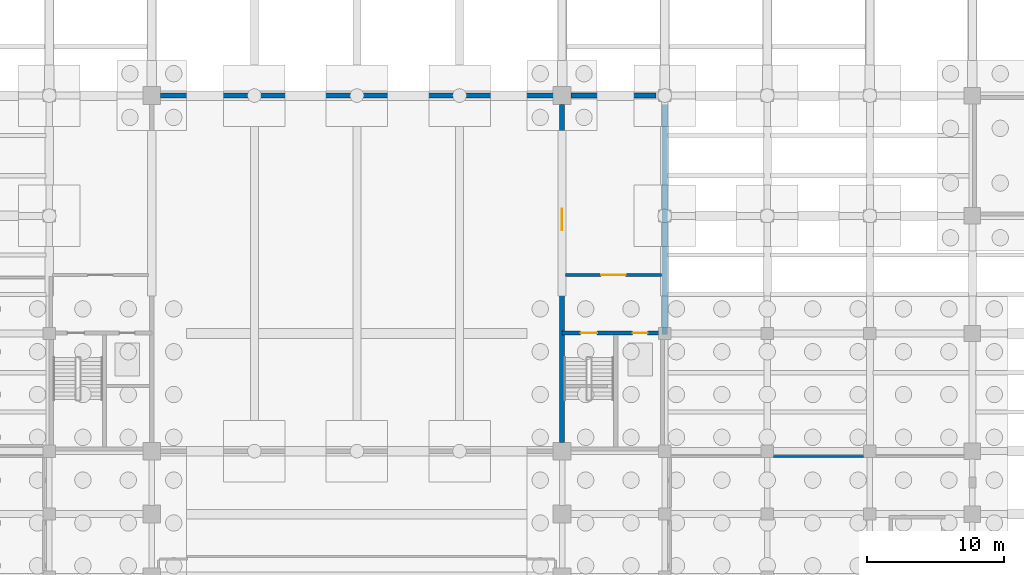
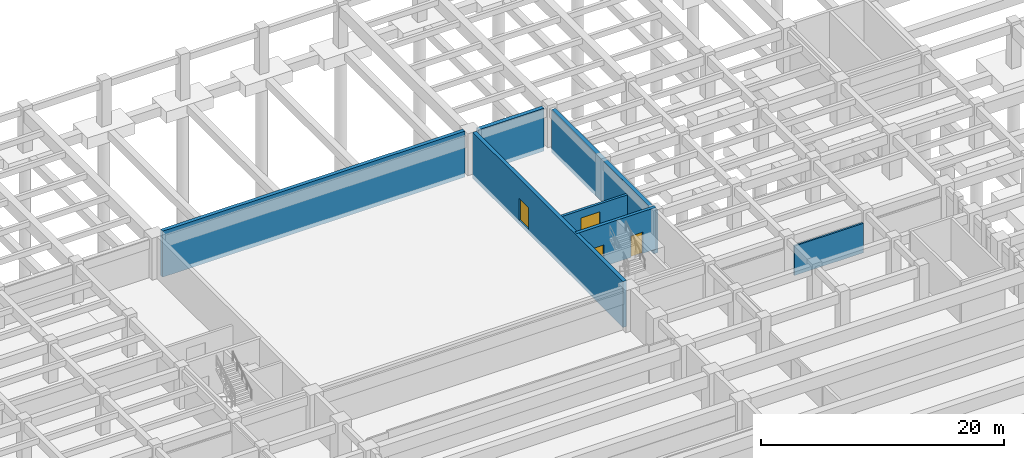
# One storey, part 25 of 32: 7 walls, 4 doors, 4 openings.
"""IFC4 building model written with IfcOpenShell, lengths in metres."""

import ifcopenshell
import ifcopenshell.guid

model = None  # the IFC model being written
_history = None  # IfcOwnerHistory: only IFC2X3 demands one
_inside = {}  # id of a spatial element -> (the spatial element, [elements in it])
_under = {}  # id of a project, library or spatial element -> (it, [spatial elements below it])
_declared = {}  # id of a project -> (the project, [libraries it declares])
_typed = {}  # id of a type object -> (the type object, [elements of that type])
_made_of = {}  # id of a material, layer set ... -> (it, [elements and type objects made of it])


def new_model(schema):
    """Start an empty IFC model of exactly this schema.

    Asked for "IFC4X3", IfcOpenShell would pick the latest addendum, in which some entities
    have other attributes; the version numbers below select the first issue.
    IFC2X3 requires an IfcOwnerHistory on every rooted entity: one is made here for all.
    """
    global model, _history
    if schema == "IFC4X3":
        model = ifcopenshell.file(schema_version=(4, 3, 0, 0))
    else:
        model = ifcopenshell.file(schema=schema)
    _inside.clear()
    _under.clear()
    _declared.clear()
    _typed.clear()
    _made_of.clear()
    _history = None
    if model.schema == "IFC2X3":
        org = make("IfcOrganization", Name="unknown")
        user = make(
            "IfcPersonAndOrganization",
            ThePerson=make("IfcPerson", FamilyName="unknown"),
            TheOrganization=org,
        )
        app = make(
            "IfcApplication",
            ApplicationDeveloper=org,
            Version="unknown",
            ApplicationFullName="unknown",
            ApplicationIdentifier="unknown",
        )
        _history = make(
            "IfcOwnerHistory",
            OwningUser=user,
            OwningApplication=app,
            ChangeAction="ADDED",
            CreationDate=0,
        )
    return model


def make(cls, **values):
    """One entity of the class cls with the attributes given. An attribute that is None is left unset."""
    return model.create_entity(
        cls, **{name: value for name, value in values.items() if value is not None}
    )


def rooted(cls, **values):
    """An entity with a GlobalId (a new one), such as an element, a storey or a relation."""
    return make(cls, GlobalId=ifcopenshell.guid.new(), OwnerHistory=_history, **values)


def si_unit(unit_type, name, prefix=None):
    """IfcSIUnit, for example si_unit("LENGTHUNIT", "METRE", prefix="MILLI")."""
    return make("IfcSIUnit", UnitType=unit_type, Prefix=prefix, Name=name)


def assignment(units):
    """IfcUnitAssignment: the units of a project."""
    return None if units is None else make("IfcUnitAssignment", Units=units)


def point(xyz):
    """IfcCartesianPoint."""
    return None if xyz is None else make("IfcCartesianPoint", Coordinates=xyz)


def direction(xyz):
    """IfcDirection."""
    return None if xyz is None else make("IfcDirection", DirectionRatios=xyz)


def frame(location, z_axis=None, x_axis=None):
    """IfcAxis2Placement3D, a coordinate frame: its origin and axes. An axis left out is left unset."""
    return make(
        "IfcAxis2Placement3D",
        Location=point(location),
        Axis=direction(z_axis),
        RefDirection=direction(x_axis),
    )


def frame_2d(location, x_axis=None):
    """IfcAxis2Placement2D, a coordinate frame in the plane: its origin and x axis."""
    return make(
        "IfcAxis2Placement2D", Location=point(location), RefDirection=direction(x_axis)
    )


def origin():
    """The frame at (0, 0, 0) with its axes left unset."""
    return frame((0.0, 0.0, 0.0))


def place(relative_to, where):
    """IfcLocalPlacement: puts the frame where relative to a parent placement (None: the world)."""
    return make(
        "IfcLocalPlacement", PlacementRelTo=relative_to, RelativePlacement=where
    )


def context(
    kind, dimensions, precision=None, world=None, true_north=None, identifier=None
):
    """IfcGeometricRepresentationContext, for example the 3D "Model" context."""
    return make(
        "IfcGeometricRepresentationContext",
        ContextIdentifier=identifier,
        ContextType=kind,
        CoordinateSpaceDimension=dimensions,
        Precision=precision,
        WorldCoordinateSystem=world,
        TrueNorth=true_north,
    )


def subcontext(parent, identifier, kind, view, scale=None):
    """IfcGeometricRepresentationSubContext, for example "Body" below "Model"."""
    return make(
        "IfcGeometricRepresentationSubContext",
        ContextIdentifier=identifier,
        ContextType=kind,
        ParentContext=parent,
        TargetScale=scale,
        TargetView=view,
    )


def project(units=None, contexts=None):
    """IfcProject with its units and contexts."""
    return rooted(
        "IfcProject",
        Name="project",
        RepresentationContexts=contexts,
        UnitsInContext=assignment(units),
    )


def spatial(cls, under=None, at=None, **own):
    """A site, building, storey or space (cls), placed at a placement, below another one or the project."""
    s = rooted(cls, ObjectPlacement=at, **own)
    if under is not None:
        _under.setdefault(under.id(), (under, []))[1].append(s)
    return s


def profile(cls, at=None, kind="AREA", **sizes):
    """A parametric profile (cls). Its sizes go by their IFC names, for example OverallWidth=200.0."""
    return make(cls, ProfileType=kind, Position=at, **sizes)


def rectangle(**sizes):
    """IfcRectangleProfileDef."""
    return profile("IfcRectangleProfileDef", **sizes)


def extrude(swept, where, along, depth):
    """IfcExtrudedAreaSolid: the profile swept, set in the frame where, extruded along a direction by depth."""
    return make(
        "IfcExtrudedAreaSolid",
        SweptArea=swept,
        Position=where,
        ExtrudedDirection=direction(along),
        Depth=depth,
    )


def shape(context_of_items, identifier, shape_type, items):
    """IfcShapeRepresentation: the items that make up one representation, for example the "Body"."""
    return make(
        "IfcShapeRepresentation",
        ContextOfItems=context_of_items,
        RepresentationIdentifier=identifier,
        RepresentationType=shape_type,
        Items=items,
    )


def material(Name=None, Category=None):
    """IfcMaterial."""
    return make("IfcMaterial", Name=Name, Category=Category)


def layer(
    of_material, thickness, ventilated=None, Name=None, Category=None, Priority=None
):
    """IfcMaterialLayer: one layer of a wall or slab, of a material (None: an air gap)."""
    return make(
        "IfcMaterialLayer",
        Material=of_material,
        LayerThickness=thickness,
        IsVentilated=ventilated,
        Name=Name,
        Category=Category,
        Priority=Priority,
    )


def layer_set(layers, Name=None):
    """IfcMaterialLayerSet."""
    return make("IfcMaterialLayerSet", MaterialLayers=layers, LayerSetName=Name)


def made_of(thing, what):
    """Note that an element or type object is made of a material, layer set ...; save() writes the relation."""
    if what is not None:
        _made_of.setdefault(what.id(), (what, []))[1].append(thing)
    return thing


def type_object(cls, material=None, **own):
    """A type object (cls), such as IfcWallType, which elements share."""
    return made_of(rooted(cls, **own), material)


def element(
    cls,
    number,
    at=None,
    inside=None,
    cuts=None,
    type_object=None,
    material=None,
    context=None,
    identifier="Body",
    shape_type=None,
    held_by="IfcProductDefinitionShape",
    body=None,
    shapes=None,
    **own,
):
    """One element of the class cls, such as IfcWall. Its Tag is "e" and its number.

    at: its placement. inside: the storey or other place that contains it. cuts: it is an
    opening in that element (IfcRelVoidsElement). A single representation is given by context,
    identifier, shape_type and body (its items); several are given by shapes. held_by: the class
    of the entity that holds the representations. save() writes the other relations.
    """
    e = rooted(cls, Tag="e%d" % number, ObjectPlacement=at, **own)
    if body is not None:
        shapes = [shape(context, identifier, shape_type, body)]
    if shapes is not None:
        e.Representation = make(held_by, Representations=shapes)
    if inside is not None:
        _inside.setdefault(inside.id(), (inside, []))[1].append(e)
    if cuts is not None:
        rooted(
            "IfcRelVoidsElement", RelatingBuildingElement=cuts, RelatedOpeningElement=e
        )
    if type_object is not None:
        _typed.setdefault(type_object.id(), (type_object, []))[1].append(e)
    return made_of(e, material)


def fill(opening, filler):
    """IfcRelFillsElement: the door or window that sits in an opening."""
    return rooted(
        "IfcRelFillsElement",
        RelatingOpeningElement=opening,
        RelatedBuildingElement=filler,
    )


def aggregate(whole, parts):
    """IfcRelAggregates: a whole, such as a stair, and the parts it consists of."""
    return rooted("IfcRelAggregates", RelatingObject=whole, RelatedObjects=parts)


def save(model, path):
    """Write the relations noted so far, then the file.

    IfcRelAggregates (storeys below a building ...), IfcRelContainedInSpatialStructure (elements
    in a storey), IfcRelDefinesByType, IfcRelAssociatesMaterial and IfcRelDeclares: one each for
    every whole, place, type object, material and project.
    """
    for whole, parts in _under.values():
        aggregate(whole, parts)
    for where, things in _inside.values():
        rooted(
            "IfcRelContainedInSpatialStructure",
            RelatedElements=things,
            RelatingStructure=where,
        )
    for kind, things in _typed.values():
        rooted("IfcRelDefinesByType", RelatedObjects=things, RelatingType=kind)
    for what, things in _made_of.values():
        rooted("IfcRelAssociatesMaterial", RelatedObjects=things, RelatingMaterial=what)
    for by, libraries in _declared.values():
        rooted("IfcRelDeclares", RelatingContext=by, RelatedDefinitions=libraries)
    model.write(path)


model = new_model("IFC4")

# Units and contexts
model_context = context("Model", 3, precision=1e-05, world=origin(), true_north=direction((0.0, 1.0)))
body_context = subcontext(model_context, "Body", "Model", "MODEL_VIEW")
ifc_project = project(units=[si_unit("LENGTHUNIT", "METRE"), si_unit("AREAUNIT", "SQUARE_METRE"), si_unit("VOLUMEUNIT", "CUBIC_METRE"), si_unit("PLANEANGLEUNIT", "RADIAN"), si_unit("MASSUNIT", "GRAM", prefix="KILO")], contexts=[model_context])

# Site, building, storey
site_placement = place(None, origin())
site = spatial("IfcSite", under=ifc_project, at=site_placement, CompositionType="ELEMENT")
building_placement = place(site_placement, origin())
building = spatial("IfcBuilding", under=site, at=building_placement, Name="Muzn Square Opera House", CompositionType="ELEMENT")
storey_placement = place(building_placement, frame((0.0, 0.0, -4.199951171875)))
storey = spatial("IfcBuildingStorey", under=building, at=storey_placement, Name="B1", CompositionType="ELEMENT", Elevation=-4.199951171875)

# Walls
ifc_material_1 = material(Name="Concrete C45/55", Category="concrete")
ifc_layer_1 = layer(ifc_material_1, 0.3798828125, Name="Concrete C45/55", Category="concrete")
ifc_layer_set_1 = layer_set([ifc_layer_1], Name="Concrete C45/55")
wall_type_1 = type_object("IfcWallType", Name="Basement Retaining Wall 380mm", PredefinedType="SHEAR", material=ifc_layer_set_1)
wall_1_placement = place(storey_placement, frame((103.64990234375, 98.60009765625, -0.420166015625), z_axis=(0.0, 0.0, 1.0), x_axis=(1.0, 0.0, 0.0)))
element("IfcWall", 1, at=wall_1_placement, inside=storey, type_object=wall_type_1, Name="Basement Retaining Wall RET-B1-NE", PredefinedType="SHEAR", context=body_context, shape_type="SweptSolid", body=[
    extrude(rectangle(XDim=6.2001953125, YDim=0.3798828125, at=frame_2d((3.10009765625, 0.0))), origin(), (0.0, 0.0, 1.0), 4.300048828125),
])
wall_2_placement = place(storey_placement, frame((110.5, 81.1201171875, -0.420166015625), z_axis=(0.0, 0.0, 1.0), x_axis=(0.0, 1.0, 0.0)))
element("IfcWall", 2, at=wall_2_placement, inside=storey, type_object=wall_type_1, Name="Basement Retaining Wall RET-B1-EN", PredefinedType="SHEAR", context=body_context, shape_type="SweptSolid", body=[
    extrude(rectangle(XDim=16.829833984375, YDim=0.3798828125, at=frame_2d((8.4150390625, 0.0))), origin(), (0.0, 0.0, 1.0), 4.300048828125),
])

# Wall, openings, doors
ifc_layer_2 = layer(ifc_material_1, 0.300048828125, Name="Concrete C45/55", Category="concrete")
ifc_layer_set_2 = layer_set([ifc_layer_2], Name="Concrete C45/55")
wall_type_2 = type_object("IfcWallType", Name="Core Shear Wall 300mm", PredefinedType="SHEAR", material=ifc_layer_set_2)
wall_3_placement = place(storey_placement, frame((103.0, 81.25, 0.0), z_axis=(0.0, 0.0, 1.0), x_axis=(1.0, 0.0, 0.0)))
wall_3 = element("IfcWall", 3, at=wall_3_placement, inside=storey, type_object=wall_type_2, Name="Core C2 Front Shear Wall B1", PredefinedType="SHEAR", context=body_context, shape_type="SweptSolid", body=[
    extrude(rectangle(XDim=7.5, YDim=0.300048828125, at=frame_2d((3.75, 0.0))), origin(), (0.0, 0.0, 1.0), 4.199951171875),
])
opening_1_placement = place(wall_3_placement, frame((1.35009765625, 0.0, 0.0)))
opening_1 = element("IfcOpeningElement", 4, at=opening_1_placement, cuts=wall_3, Name="Opening DR-ST12", PredefinedType="OPENING", context=body_context, shape_type="SweptSolid", body=[
    extrude(rectangle(XDim=1.199951171875, YDim=2.14990234375, at=frame_2d((0.60009765625, 1.074951171875))), frame((0.0, 0.159912109375, 0.0), z_axis=(0.0, -1.0, 0.0), x_axis=(1.0, 0.0, 0.0)), (0.0, 0.0, 1.0), 0.320068359375),
])
opening_2_placement = place(wall_3_placement, frame((5.14990234375, 0.0, 0.0)))
opening_2 = element("IfcOpeningElement", 5, at=opening_2_placement, cuts=wall_3, Name="Opening LD-01", PredefinedType="OPENING", context=body_context, shape_type="SweptSolid", body=[
    extrude(rectangle(XDim=1.10009765625, YDim=2.14990234375, at=frame_2d((0.550048828125, 1.074951171875))), frame((0.0, 0.159912109375, 0.0), z_axis=(0.0, -1.0, 0.0), x_axis=(1.0, 0.0, 0.0)), (0.0, 0.0, 1.0), 0.320068359375),
])
ifc_material_2 = material(Name="Galvanised painted steel leaf", Category="metal")
door_type_1 = type_object("IfcDoorType", Name="Core Stair Fire Door 1200x2150", OperationType="NOTDEFINED", PredefinedType="DOOR", material=ifc_material_2)
door_1_placement = place(opening_1_placement, origin())
door_1 = element("IfcDoor", 6, at=door_1_placement, inside=storey, type_object=door_type_1, Name="Core C2 Stair Door B1", OperationType="SINGLE_SWING_RIGHT", OverallHeight=2.14990234375, OverallWidth=1.199951171875, PredefinedType="DOOR", context=body_context, shape_type="SweptSolid", body=[
    extrude(rectangle(XDim=1.199951171875, YDim=2.14990234375, at=frame_2d((0.60009765625, 1.074951171875))), frame((0.0, 0.02490234375, 0.0), z_axis=(0.0, -1.0, 0.0), x_axis=(1.0, 0.0, 0.0)), (0.0, 0.0, 1.0), 0.050048828125),
])
fill(opening_1, door_1)
ifc_material_3 = material(Name="Brushed stainless steel", Category="metal")
door_type_2 = type_object("IfcDoorType", Name="Lift Landing Sliding Door 1100x2150", OperationType="SLIDING_TO_LEFT", PredefinedType="DOOR", material=ifc_material_3)
door_2_placement = place(opening_2_placement, origin())
door_2 = element("IfcDoor", 7, at=door_2_placement, inside=storey, type_object=door_type_2, Name="Lift FFL-2 Sliding Landing Door B1", OperationType="SLIDING_TO_LEFT", OverallHeight=2.14990234375, OverallWidth=1.10009765625, PredefinedType="DOOR", context=body_context, shape_type="SweptSolid", body=[
    extrude(rectangle(XDim=1.10009765625, YDim=2.14990234375, at=frame_2d((0.550048828125, 1.074951171875))), frame((0.0, 0.02490234375, 0.0), z_axis=(0.0, -1.0, 0.0), x_axis=(1.0, 0.0, 0.0)), (0.0, 0.0, 1.0), 0.050048828125),
])
fill(opening_2, door_2)

# Wall, opening, door
ifc_material_4 = material(Name="Concrete C40/50", Category="concrete")
ifc_layer_3 = layer(ifc_material_4, 0.239990234375, Name="Concrete C40/50", Category="concrete")
ifc_layer_set_3 = layer_set([ifc_layer_3], Name="Concrete C40/50")
wall_type_3 = type_object("IfcWallType", Name="Firefighting Lobby Wall 240mm", PredefinedType="SOLIDWALL", material=ifc_layer_set_3)
wall_4_placement = place(storey_placement, frame((103.239990234375, 85.47998046875, 0.0), z_axis=(0.0, 0.0, 1.0), x_axis=(1.0, 0.0, 0.0)))
wall_4 = element("IfcWall", 8, at=wall_4_placement, inside=storey, type_object=wall_type_3, Name="Lobby C2 Enclosure Wall B1", PredefinedType="SOLIDWALL", context=body_context, shape_type="SweptSolid", body=[
    extrude(rectangle(XDim=7.02001953125, YDim=0.239990234375, at=frame_2d((3.510009765625, 0.0))), origin(), (0.0, 0.0, 1.0), 2.9599609375),
])
opening_3_placement = place(wall_4_placement, frame((2.610107421875, 0.0, 0.0)))
opening_3 = element("IfcOpeningElement", 9, at=opening_3_placement, cuts=wall_4, Name="Opening DR-FL18", PredefinedType="OPENING", context=body_context, shape_type="SweptSolid", body=[
    extrude(rectangle(XDim=1.800048828125, YDim=2.179931640625, at=frame_2d((0.89990234375, 1.08984375))), frame((0.0, 0.1298828125, 0.0), z_axis=(0.0, -1.0, 0.0), x_axis=(1.0, 0.0, 0.0)), (0.0, 0.0, 1.0), 0.260009765625),
])
door_type_3 = type_object("IfcDoorType", Name="Firefighting Lobby Double Door 1800x2180", OperationType="DOUBLE_DOOR_SINGLE_SWING", PredefinedType="DOOR", material=ifc_material_2)
door_3_placement = place(opening_3_placement, origin())
door_3 = element("IfcDoor", 10, at=door_3_placement, inside=storey, type_object=door_type_3, Name="Lobby C2 Fire Door B1", OperationType="DOUBLE_DOOR_SINGLE_SWING", OverallHeight=2.179931640625, OverallWidth=1.800048828125, PredefinedType="DOOR", context=body_context, shape_type="SweptSolid", body=[
    extrude(rectangle(XDim=1.800048828125, YDim=2.179931640625, at=frame_2d((0.89990234375, 1.08984375))), frame((0.0, 0.02490234375, 0.0), z_axis=(0.0, -1.0, 0.0), x_axis=(1.0, 0.0, 0.0)), (0.0, 0.0, 1.0), 0.050048828125),
])
fill(opening_3, door_3)

ifc_layer_4 = layer(ifc_material_1, 0.35009765625, Name="Concrete C45/55", Category="concrete")
ifc_layer_set_4 = layer_set([ifc_layer_4], Name="Concrete C45/55")
wall_type_4 = type_object("IfcWallType", Name="Fly Tower Shear Wall 350mm", PredefinedType="SHEAR", material=ifc_layer_set_4)
wall_5_placement = place(storey_placement, frame((103.0, 73.239990234375, -0.420166015625), z_axis=(0.0, 0.0, 1.0), x_axis=(0.0, 1.0, 0.0)))
wall_5 = element("IfcWall", 11, at=wall_5_placement, inside=storey, type_object=wall_type_4, Name="Fly Tower Shear Wall FTW-B1-E", PredefinedType="SHEAR", context=body_context, shape_type="SweptSolid", body=[
    extrude(rectangle(XDim=24.719970703125, YDim=0.35009765625, at=frame_2d((12.35986328125, 0.0))), origin(), (0.0, 0.0, 1.0), 4.6201171875),
])
opening_4_placement = place(wall_5_placement, frame((17.10009765625, 0.0, 0.419921875), z_axis=(0.0, 0.0, 1.0), x_axis=(-1.0, 0.0, 0.0)))
opening_4 = element("IfcOpeningElement", 12, at=opening_4_placement, cuts=wall_5, Name="Opening DR-PL16", PredefinedType="OPENING", context=body_context, shape_type="SweptSolid", body=[
    extrude(rectangle(XDim=1.60009765625, YDim=2.179931640625, at=frame_2d((0.800048828125, 1.08984375))), frame((0.0, 0.18505859375, 0.0), z_axis=(0.0, -1.0, 0.0), x_axis=(1.0, 0.0, 0.0)), (0.0, 0.0, 1.0), 0.3701171875),
])
door_type_4 = type_object("IfcDoorType", Name="Plant Room Double Door 1600x2180", OperationType="DOUBLE_DOOR_SINGLE_SWING", PredefinedType="DOOR", material=ifc_material_2)
door_4_placement = place(opening_4_placement, origin())
door_4 = element("IfcDoor", 13, at=door_4_placement, inside=storey, type_object=door_type_4, Name="Understage Machinery Room Fire Door", OperationType="DOUBLE_DOOR_SINGLE_SWING", OverallHeight=2.179931640625, OverallWidth=1.60009765625, PredefinedType="DOOR", context=body_context, shape_type="SweptSolid", body=[
    extrude(rectangle(XDim=1.60009765625, YDim=2.179931640625, at=frame_2d((0.800048828125, 1.08984375))), frame((0.0, 0.02490234375, 0.0), z_axis=(0.0, -1.0, 0.0), x_axis=(1.0, 0.0, 0.0)), (0.0, 0.0, 1.0), 0.050048828125),
])
fill(opening_4, door_4)

# Walls
wall_6_placement = place(storey_placement, frame((73.639892578125, 98.60009765625, -0.420166015625), z_axis=(0.0, 0.0, 1.0), x_axis=(1.0, 0.0, 0.0)))
element("IfcWall", 14, at=wall_6_placement, inside=storey, type_object=wall_type_4, Name="Fly Tower Shear Wall FTW-B1-N", PredefinedType="SHEAR", context=body_context, shape_type="SweptSolid", body=[
    extrude(rectangle(XDim=28.72021484375, YDim=0.35009765625, at=frame_2d((14.360107421875, 0.0))), origin(), (0.0, 0.0, 1.0), 4.6201171875),
])
ifc_material_5 = material(Name="Acoustic gypsum stud partition", Category="gypsum")
ifc_layer_5 = layer(ifc_material_5, 0.159912109375, Name="Acoustic gypsum stud partition", Category="gypsum")
ifc_layer_set_5 = layer_set([ifc_layer_5], Name="Acoustic gypsum stud partition")
wall_type_5 = type_object("IfcWallType", Name="Workshop Rated Partition 160mm", PredefinedType="PARTITIONING", material=ifc_layer_set_5)
wall_7_placement = place(storey_placement, frame((118.469970703125, 72.199951171875, 0.0), z_axis=(0.0, 0.0, 1.0), x_axis=(1.0, 0.0, 0.0)))
element("IfcWall", 15, at=wall_7_placement, inside=storey, type_object=wall_type_5, Name="Room Enclosure Partition PW-B1-0028", PredefinedType="PARTITIONING", context=body_context, shape_type="SweptSolid", body=[
    extrude(rectangle(XDim=6.56005859375, YDim=0.159912109375, at=frame_2d((3.280029296875, 0.0))), origin(), (0.0, 0.0, 1.0), 2.9599609375),
])

save(model, "model.ifc")
